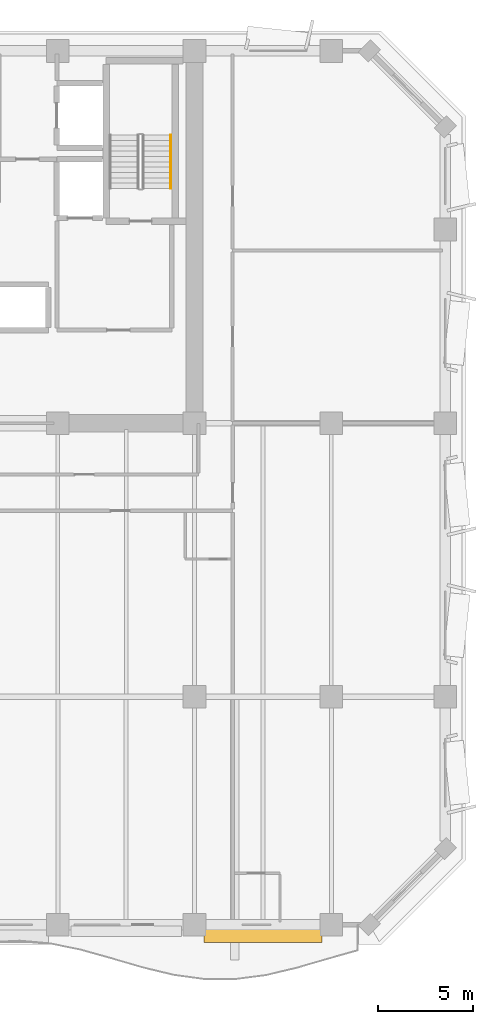
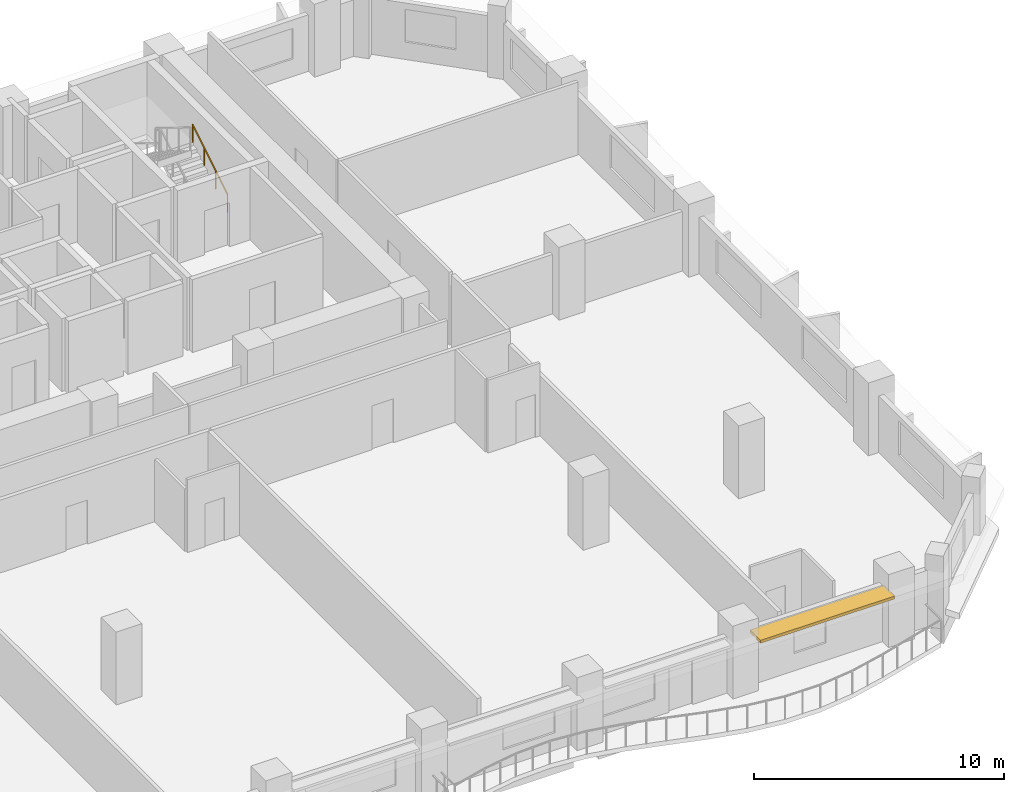
# One storey, part 14 of 14: 1 railing, 1 shading device.
"""IFC4 building model written with IfcOpenShell, lengths in metres."""

from ifc_helpers import new_model, si_unit, direction, frame, origin, origin_2d, place, context, subcontext, project, spatial, rectangle, extrude, material, layer, layer_set, type_object, element, save


model = new_model("IFC4")

# Units and contexts
model_context = context("Model", 3, precision=1e-05, world=origin(), true_north=direction((0.0, 1.0)))
body_context = subcontext(model_context, "Body", "Model", "MODEL_VIEW")
ifc_project = project(units=[si_unit("LENGTHUNIT", "METRE"), si_unit("AREAUNIT", "SQUARE_METRE"), si_unit("VOLUMEUNIT", "CUBIC_METRE"), si_unit("PLANEANGLEUNIT", "RADIAN"), si_unit("MASSUNIT", "GRAM", prefix="KILO")], contexts=[model_context])

# Site, building, storey
site_placement = place(None, origin())
site = spatial("IfcSite", under=ifc_project, at=site_placement, CompositionType="ELEMENT")
building_placement = place(site_placement, origin())
building = spatial("IfcBuilding", under=site, at=building_placement, Name="Kaelvorn Grand Hotel", CompositionType="ELEMENT")
storey_placement = place(building_placement, frame((0.0, 0.0, 212.949951171875)))
storey = spatial("IfcBuildingStorey", under=building, at=storey_placement, Name="L52", CompositionType="ELEMENT", Elevation=212.949951171875)

# Railing
ifc_material_1 = material(Name="Stainless Steel", Category="steel")
railing_type = type_object("IfcRailingType", Name="RL-HANDRAIL-900", PredefinedType="HANDRAIL", material=ifc_material_1)
railing_placement = place(storey_placement, frame((66.550048828125, 41.760009765625, 0.1728515625)))
element("IfcRailing", 1, at=railing_placement, inside=storey, type_object=railing_type, Name="L52 ST3 stair handrail 1", PredefinedType="HANDRAIL", context=body_context, shape_type="SweptSolid", body=[
    extrude(rectangle(XDim=0.048095703125, YDim=0.048095703125, at=origin_2d()), frame((0.0, 0.0, 0.8759765625), z_axis=(0.0, 0.851089632645, 0.525020415988), x_axis=(-1.0, 0.0, 0.0)), (0.0, 0.0, 1.0), 3.2900390625),
    extrude(rectangle(XDim=0.0419921875, YDim=0.0419921875, at=origin_2d()), origin(), (0.0, 0.0, 1.0), 0.851806640625),
    extrude(rectangle(XDim=0.0419921875, YDim=0.0419921875, at=origin_2d()), frame((0.0, 0.933349609375, 0.57568359375)), (0.0, 0.0, 1.0), 0.851806640625),
    extrude(rectangle(XDim=0.0419921875, YDim=0.0419921875, at=origin_2d()), frame((0.0, 1.86669921875, 1.151611328125)), (0.0, 0.0, 1.0), 0.851806640625),
    extrude(rectangle(XDim=0.0419921875, YDim=0.0419921875, at=origin_2d()), frame((0.0, 2.800048828125, 1.727294921875)), (0.0, 0.0, 1.0), 0.851806640625),
])

# Shading device
ifc_material_2 = material(Name="Precast concrete C45/55", Category="concrete")
ifc_layer = layer(ifc_material_2, 0.139892578125)
ifc_layer_set = layer_set([ifc_layer], Name="Precast concrete C45/55")
shading_device_type = type_object("IfcShadingDeviceType", Name="SHD-SUNSHADE-850", PredefinedType="USERDEFINED", material=ifc_layer_set)
shading_device_placement = place(storey_placement, frame((71.39990234375, 2.4951171875, 2.55029296875), z_axis=(0.0, 0.0, 1.0), x_axis=(1.0, 0.0, 0.0)))
element("IfcShadingDevice", 2, at=shading_device_placement, inside=storey, type_object=shading_device_type, Name="L52 Horizontal Concrete Sunshade Band SS-10", ObjectType="SUNSHADE", PredefinedType="USERDEFINED", context=body_context, shape_type="SweptSolid", body=[
    extrude(rectangle(XDim=6.199951171875, YDim=0.85009765625, at=origin_2d()), origin(), (0.0, 0.0, 1.0), 0.139892578125),
])

save(model, "model.ifc")
